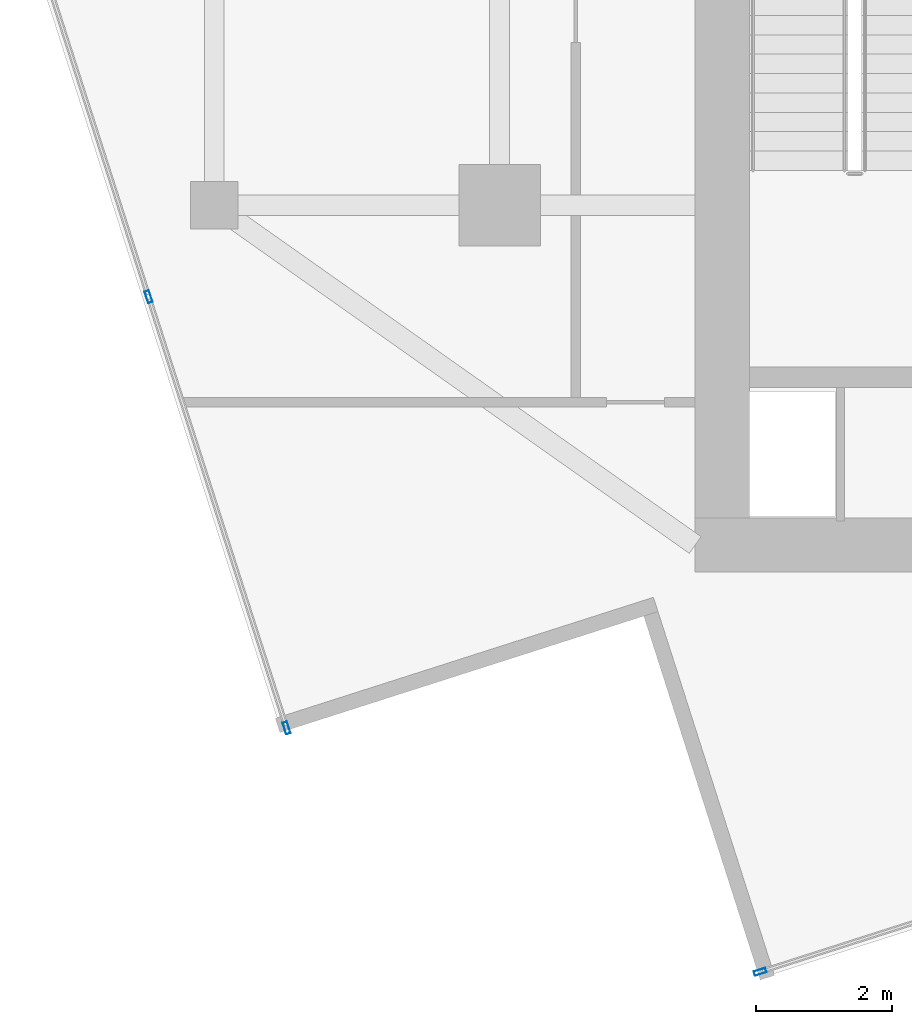
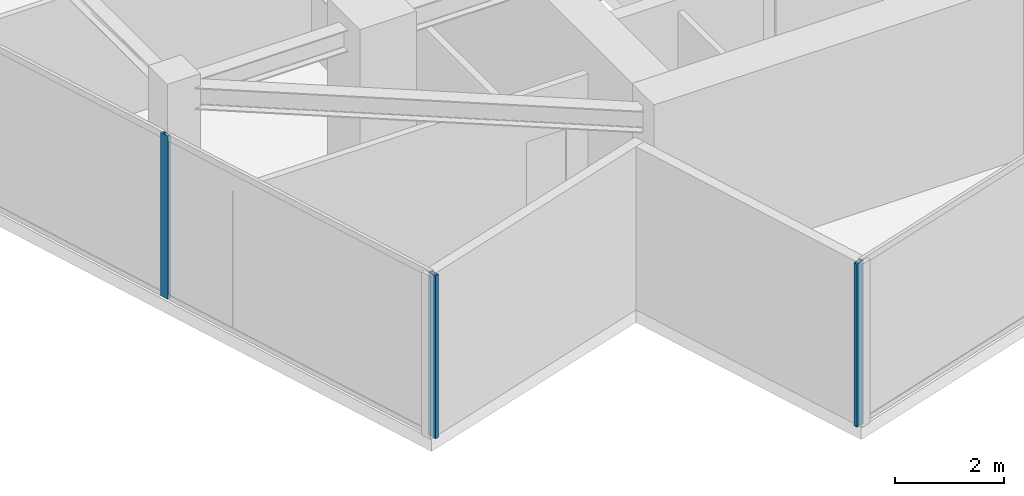
# One storey, part 2 of 21: 3 members, 2 elements without a shape of their own.
"""IFC4 building model written with IfcOpenShell, lengths in metres."""

from ifc_helpers import new_model, si_unit, direction, frame, origin, origin_2d, place, context, subcontext, project, spatial, hollow_rectangle, extrude, source, transform, mapped, material, material_profile, profile_set, type_object, type_shapes, element, aggregate, save


model = new_model("IFC4")

# Units and contexts
model_context = context("Model", 3, precision=1e-05, world=origin(), true_north=direction((0.0, 1.0)))
body_context = subcontext(model_context, "Body", "Model", "MODEL_VIEW")
ifc_project = project(units=[si_unit("LENGTHUNIT", "METRE"), si_unit("AREAUNIT", "SQUARE_METRE"), si_unit("VOLUMEUNIT", "CUBIC_METRE"), si_unit("PLANEANGLEUNIT", "RADIAN"), si_unit("MASSUNIT", "GRAM", prefix="KILO")], contexts=[model_context])

# Site, building, storey
site_placement = place(None, origin())
site = spatial("IfcSite", under=ifc_project, at=site_placement, CompositionType="ELEMENT")
building_placement = place(site_placement, origin())
building = spatial("IfcBuilding", under=site, at=building_placement, Name="Krantzveldt Concourse Tower", CompositionType="ELEMENT")
storey_placement = place(building_placement, frame((0.0, 0.0, 343.5)))
storey = spatial("IfcBuildingStorey", under=building, at=storey_placement, Name="L84", CompositionType="ELEMENT", Elevation=343.5)

# Curtain wall, members
ifc_material = material(Name="Anodised aluminium 6063-T6", Category="aluminium")
curtain_wall_type = type_object("IfcCurtainWallType", Name="CW4", PredefinedType="USERDEFINED", material=ifc_material)
curtain_wall_1_placement = place(storey_placement, origin())
curtain_wall_1 = element("IfcCurtainWall", 1, at=curtain_wall_1_placement, inside=storey, type_object=curtain_wall_type, Name="CW-L84-F04", ObjectType="UNITISED CURTAIN WALL", PredefinedType="USERDEFINED")
ifc_material_profile = material_profile(ifc_material, hollow_rectangle(XDim=0.070068359375, YDim=0.179931640625, WallThickness=0.0048828125, at=origin_2d()), Name="Anodised aluminium 6063-T6", Category="aluminium")
ifc_profile_set = profile_set([ifc_material_profile], Name="Anodised aluminium 6063-T6 - ALU-MULL 180x70x5")
member_type = type_object("IfcMemberType", Name="CW-MUL-180", PredefinedType="MULLION", material=ifc_profile_set)
shared_shape = source(origin(), body_context, "Body", "SweptSolid", [
    extrude(hollow_rectangle(XDim=0.070068359375, YDim=0.179931640625, WallThickness=0.0048828125, at=origin_2d()), origin(), (0.0, 0.0, 1.0), 3.669921875),
])
type_shapes(member_type, [shared_shape])
member_1_placement = place(storey_placement, frame((20.03271484375, 14.553955078125, 0.0), z_axis=(0.0, 0.0, 1.0), x_axis=(0.952395843376, 0.304864162408, 0.0)))
member_1 = element("IfcMember", 2, at=member_1_placement, type_object=member_type, Name="CW-Z56 mullion 4", PredefinedType="MULLION", context=body_context, shape_type="MappedRepresentation", body=[
    mapped(shared_shape, transform((0.0, 0.0, 0.0), x_axis=(1.0, 0.0, 0.0), y_axis=(0.0, 1.0, 0.0), z_axis=(0.0, 0.0, 1.0), scale=1.0)),
])
member_2_placement = place(storey_placement, frame((22.064697265625, 8.206298828125, 0.0), z_axis=(0.0, 0.0, 1.0), x_axis=(0.952395843376, 0.304864162408, 0.0)))
member_2 = element("IfcMember", 3, at=member_2_placement, type_object=member_type, Name="CW-Z56 mullion 5", PredefinedType="MULLION", context=body_context, shape_type="MappedRepresentation", body=[
    mapped(shared_shape, transform((0.0, 0.0, 0.0), x_axis=(1.0, 0.0, 0.0), y_axis=(0.0, 1.0, 0.0), z_axis=(0.0, 0.0, 1.0), scale=1.0)),
])
aggregate(curtain_wall_1, [member_1, member_2])

# Curtain wall, member
curtain_wall_2_placement = place(storey_placement, origin())
curtain_wall_2 = element("IfcCurtainWall", 4, at=curtain_wall_2_placement, inside=storey, type_object=curtain_wall_type, Name="CW-L84-F07", ObjectType="UNITISED CURTAIN WALL", PredefinedType="USERDEFINED")
member_3_placement = place(storey_placement, frame((29.0361328125, 4.61572265625, 0.0), z_axis=(0.0, 0.0, 1.0), x_axis=(-0.304864162408, 0.952395843376, 0.0)))
member_3 = element("IfcMember", 5, at=member_3_placement, type_object=member_type, Name="CW-Z56 mullion 1", PredefinedType="MULLION", context=body_context, shape_type="MappedRepresentation", body=[
    mapped(shared_shape, transform((0.0, 0.0, 0.0), x_axis=(1.0, 0.0, 0.0), y_axis=(0.0, 1.0, 0.0), z_axis=(0.0, 0.0, 1.0), scale=1.0)),
])
aggregate(curtain_wall_2, [member_3])

save(model, "model.ifc")
